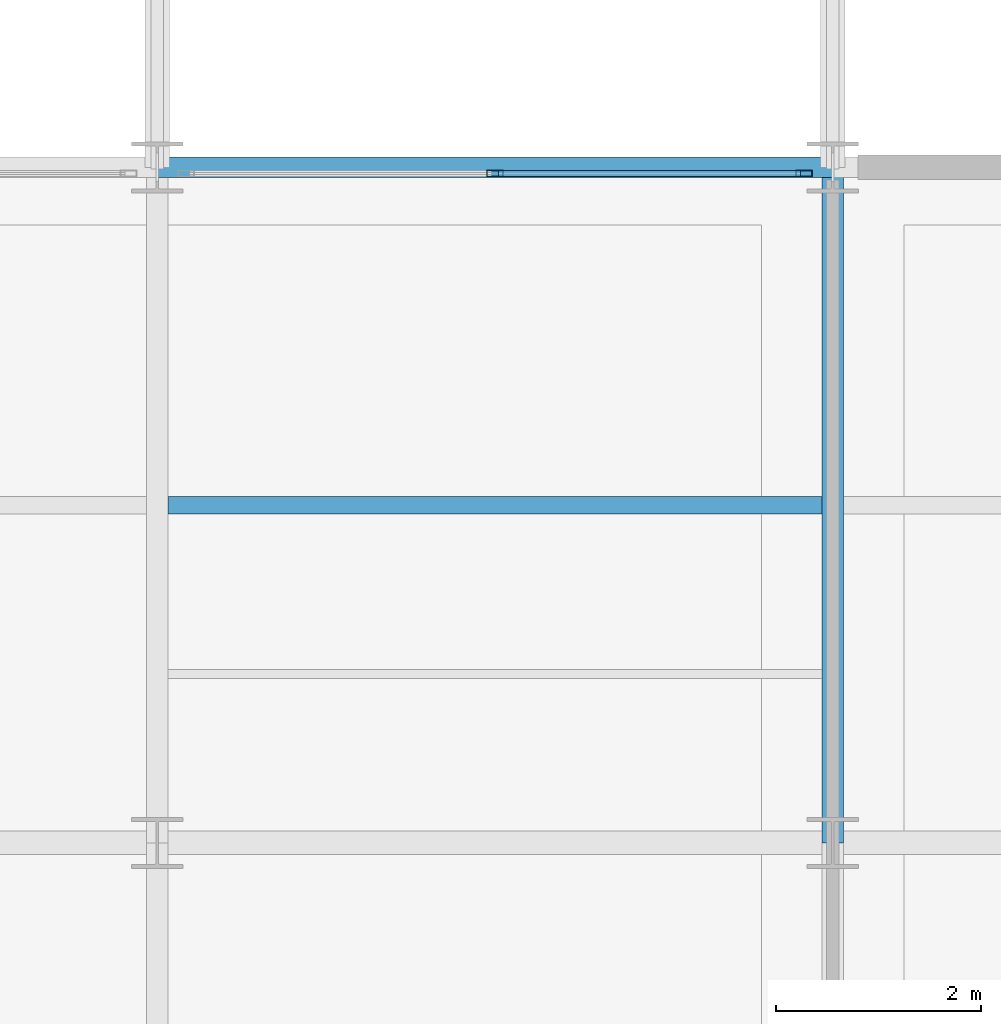
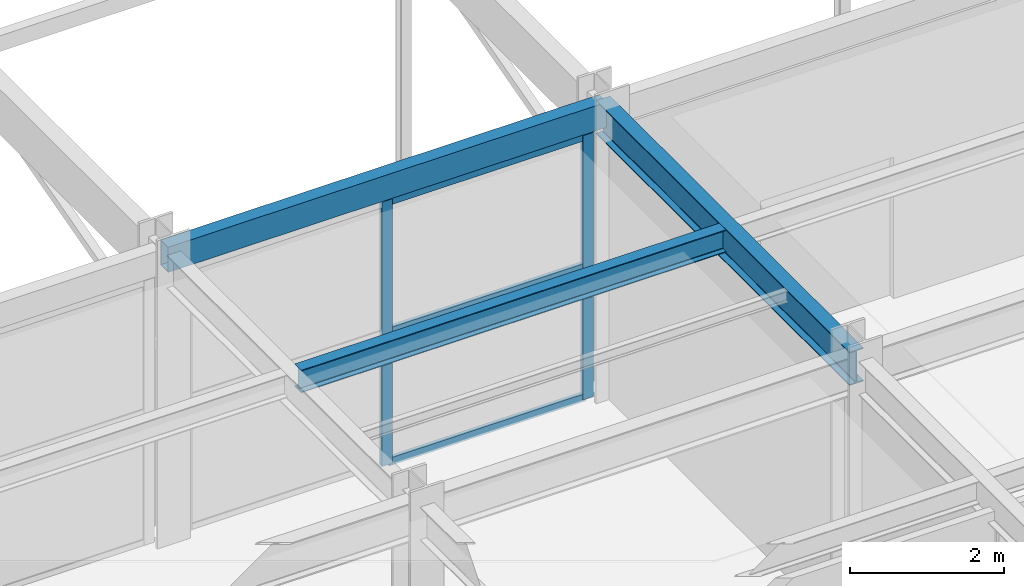
# One storey, part 58 of 144: 5 members, 3 beams, 1 element without a shape of its own.
"""IFC4 building model written with IfcOpenShell, lengths in metres."""

from ifc_helpers import new_model, si_unit, direction, frame, origin, origin_2d, place, context, subcontext, project, spatial, hollow_rectangle, i_section, extrude, material, material_profile, profile_set, type_object, element, aggregate, save


model = new_model("IFC4")

# Units and contexts
model_context = context("Model", 3, precision=1e-05, world=origin(), true_north=direction((0.0, 1.0)))
body_context = subcontext(model_context, "Body", "Model", "MODEL_VIEW")
ifc_project = project(units=[si_unit("LENGTHUNIT", "METRE"), si_unit("AREAUNIT", "SQUARE_METRE"), si_unit("VOLUMEUNIT", "CUBIC_METRE"), si_unit("PLANEANGLEUNIT", "RADIAN"), si_unit("MASSUNIT", "GRAM", prefix="KILO")], contexts=[model_context])

# Site, building, storey
site_placement = place(None, origin())
site = spatial("IfcSite", under=ifc_project, at=site_placement, CompositionType="ELEMENT")
building_placement = place(site_placement, origin())
building = spatial("IfcBuilding", under=site, at=building_placement, Name="Karori Crest Natural Sciences Institute", CompositionType="ELEMENT")
storey_placement = place(building_placement, origin())
storey = spatial("IfcBuildingStorey", under=building, at=storey_placement, Name="L00", CompositionType="ELEMENT", Elevation=0.0)

# Beams
ifc_material_1 = material(Name="Structural steel AS/NZS 3679.1 Grade 350", Category="steel")
ifc_material_profile_1 = material_profile(ifc_material_1, i_section(OverallWidth=0.208984375, OverallDepth=0.532958984375, WebThickness=0.01025390625, FlangeThickness=0.015625, FilletRadius=0.013916015625, at=origin_2d()), Name="530UB92.4")
ifc_profile_set_1 = profile_set([ifc_material_profile_1], Name="Structural steel AS/NZS 3679.1 Grade 350")
beam_type_1 = type_object("IfcBeamType", Name="BT-05", PredefinedType="BEAM", material=ifc_profile_set_1)
beam_1_placement = place(storey_placement, frame((116.800048828125, 14.0, 4.353515625), z_axis=(0.0, 1.0, 0.0), x_axis=(-1.0, 0.0, 0.0)))
element("IfcBeam", 1, at=beam_1_placement, inside=storey, type_object=beam_type_1, Name="Beam B-2063", PredefinedType="BEAM", context=body_context, shape_type="SweptSolid", body=[
    extrude(i_section(OverallWidth=0.208984375, OverallDepth=0.532958984375, WebThickness=0.01025390625, FlangeThickness=0.015625, FilletRadius=0.013916015625, at=origin_2d()), origin(), (0.0, 0.0, 1.0), 6.60009765625),
])
ifc_material_profile_2 = material_profile(ifc_material_1, i_section(OverallWidth=0.172119140625, OverallDepth=0.35888671875, WebThickness=0.008056640625, FlangeThickness=0.012939453125, FilletRadius=0.010986328125, at=origin_2d()), Name="360UB56.7")
ifc_profile_set_2 = profile_set([ifc_material_profile_2], Name="Structural steel AS/NZS 3679.1 Grade 350")
beam_type_2 = type_object("IfcBeamType", Name="BT-08", PredefinedType="BEAM", material=ifc_profile_set_2)
beam_2_placement = place(storey_placement, frame((110.304443359375, 17.300048828125, 4.4404296875), z_axis=(1.0, 0.0, 0.0), x_axis=(0.0, 1.0, 0.0)))
element("IfcBeam", 2, at=beam_2_placement, inside=storey, type_object=beam_type_2, Name="Beam B-2088", PredefinedType="BEAM", context=body_context, shape_type="SweptSolid", body=[
    extrude(i_section(OverallWidth=0.172119140625, OverallDepth=0.35888671875, WebThickness=0.008056640625, FlangeThickness=0.012939453125, FilletRadius=0.010986328125, at=origin_2d()), origin(), (0.0, 0.0, 1.0), 6.39111328125),
])
ifc_material_2 = material(Name="Hollow structural steel AS/NZS 1163 Grade C350", Category="steel")
ifc_material_profile_3 = material_profile(ifc_material_2, hollow_rectangle(XDim=0.199951171875, YDim=0.39990234375, WallThickness=0.012451171875, at=origin_2d()), Name="RHS400x200x12.5")
ifc_profile_set_3 = profile_set([ifc_material_profile_3], Name="Hollow structural steel AS/NZS 1163 Grade C350")
beam_type_3 = type_object("IfcBeamType", Name="BT-14", PredefinedType="SPANDREL", material=ifc_profile_set_3)
beam_3_placement = place(storey_placement, frame((110.199951171875, 20.60009765625, 4.419921875), z_axis=(1.0, 0.0, 0.0), x_axis=(0.0, 1.0, 0.0)))
element("IfcBeam", 3, at=beam_3_placement, inside=storey, type_object=beam_type_3, Name="Beam B-2047", PredefinedType="SPANDREL", context=body_context, shape_type="SweptSolid", body=[
    extrude(hollow_rectangle(XDim=0.199951171875, YDim=0.39990234375, WallThickness=0.012451171875, at=origin_2d()), origin(), (0.0, 0.0, 1.0), 6.60009765625),
])

# Curtain wall, members
ifc_material_3 = material(Name="Anodised architectural aluminium 6063-T6", Category="aluminium")
curtain_wall_type = type_object("IfcCurtainWallType", Name="CWT-20", PredefinedType="NOTDEFINED", material=ifc_material_3)
curtain_wall_placement = place(storey_placement, origin())
curtain_wall = element("IfcCurtainWall", 4, at=curtain_wall_placement, inside=storey, type_object=curtain_wall_type, Name="Curtain wall CW-0297", PredefinedType="NOTDEFINED")
ifc_material_profile_4 = material_profile(ifc_material_3, hollow_rectangle(XDim=0.06494140625, YDim=0.159912109375, WallThickness=0.00390625, at=origin_2d()), Name="CWM160x65x4")
ifc_profile_set_4 = profile_set([ifc_material_profile_4], Name="Anodised architectural aluminium 6063-T6")
member_type_1 = type_object("IfcMemberType", Name="CWM-01", PredefinedType="MULLION", material=ifc_profile_set_4)
member_1_placement = place(storey_placement, frame((113.5, 20.5400390625, 0.0), z_axis=(0.0, 0.0, 1.0), x_axis=(0.0, 1.0, 0.0)))
member_1 = element("IfcMember", 5, at=member_1_placement, type_object=member_type_1, Name="CW-0297 mullion 2", PredefinedType="MULLION", context=body_context, shape_type="SweptSolid", body=[
    extrude(hollow_rectangle(XDim=0.06494140625, YDim=0.159912109375, WallThickness=0.00390625, at=origin_2d()), origin(), (0.0, 0.0, 1.0), 4.205078125),
])
member_2_placement = place(storey_placement, frame((116.51953125, 20.5400390625, 0.0), z_axis=(0.0, 0.0, 1.0), x_axis=(0.0, 1.0, 0.0)))
member_2 = element("IfcMember", 6, at=member_2_placement, type_object=member_type_1, Name="CW-0297 mullion 3", PredefinedType="MULLION", context=body_context, shape_type="SweptSolid", body=[
    extrude(hollow_rectangle(XDim=0.06494140625, YDim=0.159912109375, WallThickness=0.00390625, at=origin_2d()), origin(), (0.0, 0.0, 1.0), 4.205078125),
])
ifc_material_profile_5 = material_profile(ifc_material_3, hollow_rectangle(XDim=0.06005859375, YDim=0.1201171875, WallThickness=0.00390625, at=origin_2d()), Name="CWT120x60x4")
ifc_profile_set_5 = profile_set([ifc_material_profile_5], Name="Anodised architectural aluminium 6063-T6")
member_type_2 = type_object("IfcMemberType", Name="CWT-TR1", PredefinedType="USERDEFINED", material=ifc_profile_set_5)
member_3_placement = place(storey_placement, frame((113.532470703125, 20.5400390625, 0.030029296875), z_axis=(1.0, 0.0, 0.0), x_axis=(0.0, 1.0, 0.0)))
member_3 = element("IfcMember", 7, at=member_3_placement, type_object=member_type_2, Name="CW-0297 transom 2.1", ObjectType="TRANSOM", PredefinedType="USERDEFINED", context=body_context, shape_type="SweptSolid", body=[
    extrude(hollow_rectangle(XDim=0.06005859375, YDim=0.1201171875, WallThickness=0.00390625, at=origin_2d()), origin(), (0.0, 0.0, 1.0), 2.95458984375),
])
member_4_placement = place(storey_placement, frame((113.532470703125, 20.5400390625, 2.1025390625), z_axis=(1.0, 0.0, 0.0), x_axis=(0.0, 1.0, 0.0)))
member_4 = element("IfcMember", 8, at=member_4_placement, type_object=member_type_2, Name="CW-0297 transom 2.2", ObjectType="TRANSOM", PredefinedType="USERDEFINED", context=body_context, shape_type="SweptSolid", body=[
    extrude(hollow_rectangle(XDim=0.06005859375, YDim=0.1201171875, WallThickness=0.00390625, at=origin_2d()), origin(), (0.0, 0.0, 1.0), 2.95458984375),
])
member_5_placement = place(storey_placement, frame((113.532470703125, 20.5400390625, 4.175048828125), z_axis=(1.0, 0.0, 0.0), x_axis=(0.0, 1.0, 0.0)))
member_5 = element("IfcMember", 9, at=member_5_placement, type_object=member_type_2, Name="CW-0297 transom 2.3", ObjectType="TRANSOM", PredefinedType="USERDEFINED", context=body_context, shape_type="SweptSolid", body=[
    extrude(hollow_rectangle(XDim=0.06005859375, YDim=0.1201171875, WallThickness=0.00390625, at=origin_2d()), origin(), (0.0, 0.0, 1.0), 2.95458984375),
])
aggregate(curtain_wall, [member_1, member_2, member_3, member_4, member_5])

save(model, "model.ifc")
